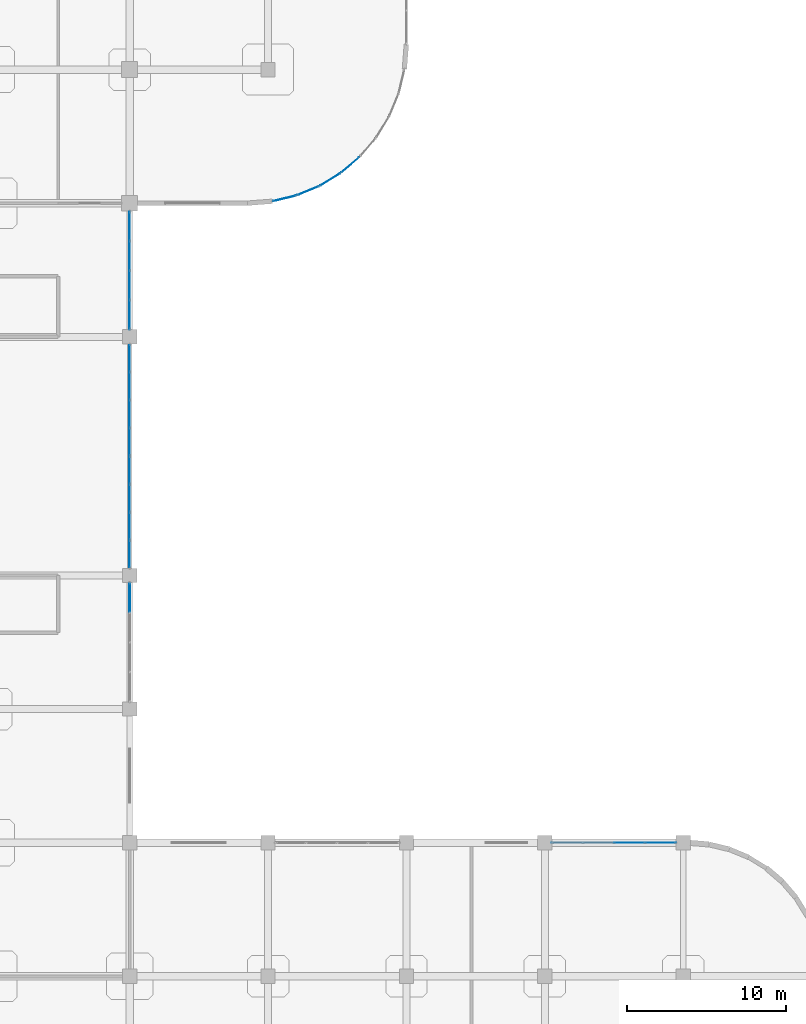
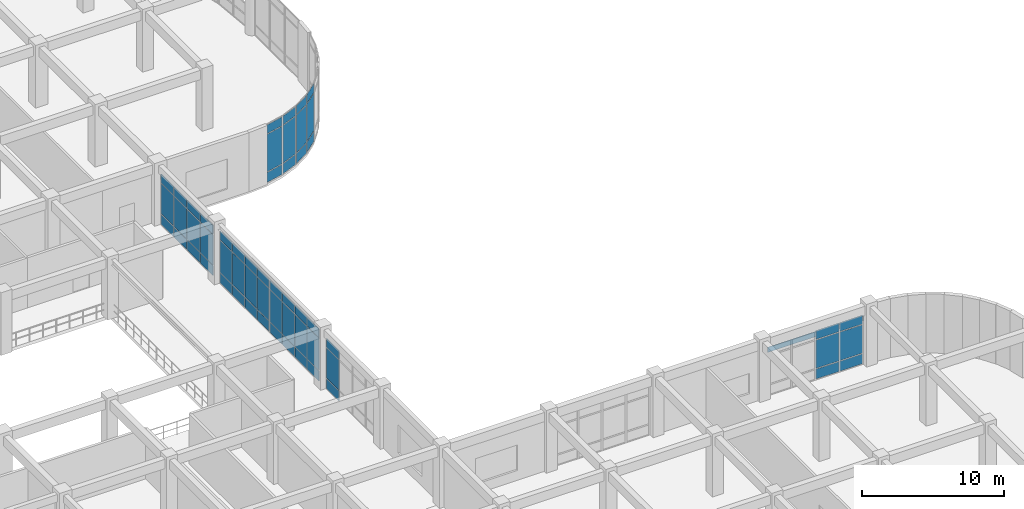
# One storey, part 89 of 114: 59 plates, 9 elements without a shape of their own.
"""IFC4 building model written with IfcOpenShell, lengths in metres."""

from ifc_helpers import new_model, si_unit, derived_unit, direction, frame, origin, origin_2d, place, context, subcontext, project, spatial, rectangle, extrude, material, layer, layer_set, type_object, element, aggregate, save


model = new_model("IFC4")

# Units and contexts
model_context = context("Model", 3, precision=1e-05, world=origin(), true_north=direction((0.0, 1.0)))
body_context = subcontext(model_context, "Body", "Model", "MODEL_VIEW")
ifc_project = project(units=[si_unit("LENGTHUNIT", "METRE"), si_unit("AREAUNIT", "SQUARE_METRE"), si_unit("VOLUMEUNIT", "CUBIC_METRE"), si_unit("PLANEANGLEUNIT", "RADIAN"), si_unit("MASSUNIT", "GRAM", prefix="KILO"), derived_unit("THERMALTRANSMITTANCEUNIT", [(si_unit("MASSUNIT", "GRAM", prefix="KILO"), 1), (si_unit("TIMEUNIT", "SECOND"), -3), (si_unit("THERMODYNAMICTEMPERATUREUNIT", "KELVIN"), -1)])], contexts=[model_context])

# Site, building, storey
site_placement = place(None, origin())
site = spatial("IfcSite", under=ifc_project, at=site_placement, CompositionType="ELEMENT")
building_placement = place(site_placement, origin())
building = spatial("IfcBuilding", under=site, at=building_placement, Name="Qinzheling Arcade Emporium", CompositionType="ELEMENT")
storey_placement = place(building_placement, frame((0.0, 0.0, 6.0)))
storey = spatial("IfcBuildingStorey", under=building, at=storey_placement, Name="L02", CompositionType="ELEMENT", Elevation=6.0)

# Curtain wall, plates
ifc_material_1 = material(Name="Anodised aluminium and solar-control double glazing", Category="aluminium")
ifc_layer_1 = layer(ifc_material_1, 0.159912109375, Name="Anodised aluminium and solar-control double glazing", Category="aluminium")
ifc_layer_set_1 = layer_set([ifc_layer_1], Name="Anodised aluminium and solar-control double glazing")
curtain_wall_type_1 = type_object("IfcCurtainWallType", Name="Food Hall Loggia Curtain Wall", PredefinedType="NOTDEFINED", material=ifc_layer_set_1)
curtain_wall_1_placement = place(storey_placement, origin())
curtain_wall_1 = element("IfcCurtainWall", 1, at=curtain_wall_1_placement, inside=storey, type_object=curtain_wall_type_1, Name="Curtain Wall CW-L02-127", PredefinedType="NOTDEFINED")
ifc_material_2 = material(Name="Laminated solar-control double glazing", Category="glass")
ifc_layer_2 = layer(ifc_material_2, 0.02099609375, Name="Laminated solar-control double glazing", Category="glass")
ifc_layer_set_2 = layer_set([ifc_layer_2], Name="Laminated solar-control double glazing")
plate_type_1 = type_object("IfcPlateType", Name="Low-E Double Glazed Curtain Panel 21mm", PredefinedType="CURTAIN_PANEL", material=ifc_layer_set_2)
plate_1_placement = place(storey_placement, frame((161.924560546875, 33.60009765625, 0.06005859375), z_axis=(0.0, 0.0, 1.0), x_axis=(1.0, 0.0, 0.0)))
plate_1 = element("IfcPlate", 2, at=plate_1_placement, type_object=plate_type_1, Name="CW04 panel 3.1", PredefinedType="CURTAIN_PANEL", context=body_context, shape_type="SweptSolid", body=[
    extrude(rectangle(XDim=1.888916015625, YDim=0.02099609375, at=origin_2d()), origin(), (0.0, 0.0, 1.0), 0.860107421875),
])
plate_2_placement = place(storey_placement, frame((161.924560546875, 33.60009765625, 0.97998046875), z_axis=(0.0, 0.0, 1.0), x_axis=(1.0, 0.0, 0.0)))
plate_2 = element("IfcPlate", 3, at=plate_2_placement, type_object=plate_type_1, Name="CW04 panel 3.2", PredefinedType="CURTAIN_PANEL", context=body_context, shape_type="SweptSolid", body=[
    extrude(rectangle(XDim=1.888916015625, YDim=0.02099609375, at=origin_2d()), origin(), (0.0, 0.0, 1.0), 2.445068359375),
])
plate_3_placement = place(storey_placement, frame((161.924560546875, 33.60009765625, 3.48486328125), z_axis=(0.0, 0.0, 1.0), x_axis=(1.0, 0.0, 0.0)))
plate_3 = element("IfcPlate", 4, at=plate_3_placement, type_object=plate_type_1, Name="CW04 panel 3.3", PredefinedType="CURTAIN_PANEL", context=body_context, shape_type="SweptSolid", body=[
    extrude(rectangle(XDim=1.888916015625, YDim=0.02099609375, at=origin_2d()), origin(), (0.0, 0.0, 1.0), 0.760009765625),
])
plate_4_placement = place(storey_placement, frame((163.8583984375, 33.60009765625, 0.06005859375), z_axis=(0.0, 0.0, 1.0), x_axis=(1.0, 0.0, 0.0)))
plate_4 = element("IfcPlate", 5, at=plate_4_placement, type_object=plate_type_1, Name="CW04 panel 4.1", PredefinedType="CURTAIN_PANEL", context=body_context, shape_type="SweptSolid", body=[
    extrude(rectangle(XDim=1.85888671875, YDim=0.02099609375, at=origin_2d()), origin(), (0.0, 0.0, 1.0), 0.860107421875),
])
plate_5_placement = place(storey_placement, frame((163.8583984375, 33.60009765625, 0.97998046875), z_axis=(0.0, 0.0, 1.0), x_axis=(1.0, 0.0, 0.0)))
plate_5 = element("IfcPlate", 6, at=plate_5_placement, type_object=plate_type_1, Name="CW04 panel 4.2", PredefinedType="CURTAIN_PANEL", context=body_context, shape_type="SweptSolid", body=[
    extrude(rectangle(XDim=1.85888671875, YDim=0.02099609375, at=origin_2d()), origin(), (0.0, 0.0, 1.0), 2.445068359375),
])
plate_6_placement = place(storey_placement, frame((163.8583984375, 33.60009765625, 3.48486328125), z_axis=(0.0, 0.0, 1.0), x_axis=(1.0, 0.0, 0.0)))
plate_6 = element("IfcPlate", 7, at=plate_6_placement, type_object=plate_type_1, Name="CW04 panel 4.3", PredefinedType="CURTAIN_PANEL", context=body_context, shape_type="SweptSolid", body=[
    extrude(rectangle(XDim=1.85888671875, YDim=0.02099609375, at=origin_2d()), origin(), (0.0, 0.0, 1.0), 0.760009765625),
])
aggregate(curtain_wall_1, [plate_1, plate_2, plate_3, plate_4, plate_5, plate_6])

ifc_layer_3 = layer(ifc_material_1, 0.159912109375, Name="Anodised aluminium and solar-control double glazing", Category="aluminium")
ifc_layer_set_3 = layer_set([ifc_layer_3], Name="Anodised aluminium and solar-control double glazing")
curtain_wall_type_2 = type_object("IfcCurtainWallType", Name="Curved Ribbon Sales Curtain Wall", PredefinedType="NOTDEFINED", material=ifc_layer_set_3)
curtain_wall_2_placement = place(storey_placement, origin())
curtain_wall_2 = element("IfcCurtainWall", 8, at=curtain_wall_2_placement, inside=storey, type_object=curtain_wall_type_2, Name="Curtain Wall CW-L02-118", PredefinedType="NOTDEFINED")
ifc_layer_4 = layer(ifc_material_2, 0.029052734375, Name="Laminated solar-control double glazing", Category="glass")
ifc_layer_set_4 = layer_set([ifc_layer_4], Name="Laminated solar-control double glazing")
plate_type_2 = type_object("IfcPlateType", Name="Low-E Double Glazed Curtain Panel 29mm", PredefinedType="CURTAIN_PANEL", material=ifc_layer_set_4)
plate_7_placement = place(storey_placement, frame((144.37451171875, 76.219482421875, 0.06005859375), z_axis=(0.0, 0.0, 1.0), x_axis=(-0.760380235773, -0.649478172878, 0.0)))
plate_7 = element("IfcPlate", 9, at=plate_7_placement, type_object=plate_type_2, Name="CW02 panel 1.1", PredefinedType="CURTAIN_PANEL", context=body_context, shape_type="SweptSolid", body=[
    extrude(rectangle(XDim=1.448974609375, YDim=0.029052734375, at=origin_2d()), origin(), (0.0, 0.0, 1.0), 0.860107421875),
])
plate_8_placement = place(storey_placement, frame((144.37451171875, 76.219482421875, 0.97998046875), z_axis=(0.0, 0.0, 1.0), x_axis=(-0.760380235773, -0.649478172878, 0.0)))
plate_8 = element("IfcPlate", 10, at=plate_8_placement, type_object=plate_type_2, Name="CW02 panel 1.2", PredefinedType="CURTAIN_PANEL", context=body_context, shape_type="SweptSolid", body=[
    extrude(rectangle(XDim=1.448974609375, YDim=0.029052734375, at=origin_2d()), origin(), (0.0, 0.0, 1.0), 3.22998046875),
])
plate_9_placement = place(storey_placement, frame((144.37451171875, 76.219482421875, 4.27001953125), z_axis=(0.0, 0.0, 1.0), x_axis=(-0.760380235773, -0.649478172878, 0.0)))
plate_9 = element("IfcPlate", 11, at=plate_9_placement, type_object=plate_type_2, Name="CW02 panel 1.3", PredefinedType="CURTAIN_PANEL", context=body_context, shape_type="SweptSolid", body=[
    extrude(rectangle(XDim=1.448974609375, YDim=0.029052734375, at=origin_2d()), origin(), (0.0, 0.0, 1.0), 0.760009765625),
])
aggregate(curtain_wall_2, [plate_7, plate_8, plate_9])

curtain_wall_3_placement = place(storey_placement, origin())
curtain_wall_3 = element("IfcCurtainWall", 12, at=curtain_wall_3_placement, inside=storey, type_object=curtain_wall_type_2, Name="Curtain Wall CW-L02-119", PredefinedType="NOTDEFINED")
ifc_layer_5 = layer(ifc_material_2, 0.030029296875, Name="Laminated solar-control double glazing", Category="glass")
ifc_layer_set_5 = layer_set([ifc_layer_5], Name="Laminated solar-control double glazing")
plate_type_3 = type_object("IfcPlateType", Name="Low-E Double Glazed Curtain Panel 30mm", PredefinedType="CURTAIN_PANEL", material=ifc_layer_set_5)
plate_10_placement = place(storey_placement, frame((143.10888671875, 75.300048828125, 0.06005859375), z_axis=(0.0, 0.0, 1.0), x_axis=(-0.852619568756, -0.522532172191, 0.0)))
plate_10 = element("IfcPlate", 13, at=plate_10_placement, type_object=plate_type_3, Name="CW02 panel 1.1", PredefinedType="CURTAIN_PANEL", context=body_context, shape_type="SweptSolid", body=[
    extrude(rectangle(XDim=1.44921875, YDim=0.030029296875, at=origin_2d()), origin(), (0.0, 0.0, 1.0), 0.860107421875),
])
plate_11_placement = place(storey_placement, frame((143.10888671875, 75.300048828125, 0.97998046875), z_axis=(0.0, 0.0, 1.0), x_axis=(-0.852619568756, -0.522532172191, 0.0)))
plate_11 = element("IfcPlate", 14, at=plate_11_placement, type_object=plate_type_3, Name="CW02 panel 1.2", PredefinedType="CURTAIN_PANEL", context=body_context, shape_type="SweptSolid", body=[
    extrude(rectangle(XDim=1.44921875, YDim=0.030029296875, at=origin_2d()), origin(), (0.0, 0.0, 1.0), 3.22998046875),
])
plate_12_placement = place(storey_placement, frame((143.10888671875, 75.300048828125, 4.27001953125), z_axis=(0.0, 0.0, 1.0), x_axis=(-0.852619568756, -0.522532172191, 0.0)))
plate_12 = element("IfcPlate", 15, at=plate_12_placement, type_object=plate_type_3, Name="CW02 panel 1.3", PredefinedType="CURTAIN_PANEL", context=body_context, shape_type="SweptSolid", body=[
    extrude(rectangle(XDim=1.44921875, YDim=0.030029296875, at=origin_2d()), origin(), (0.0, 0.0, 1.0), 0.760009765625),
])
aggregate(curtain_wall_3, [plate_10, plate_11, plate_12])

curtain_wall_4_placement = place(storey_placement, origin())
curtain_wall_4 = element("IfcCurtainWall", 16, at=curtain_wall_4_placement, inside=storey, type_object=curtain_wall_type_2, Name="Curtain Wall CW-L02-120", PredefinedType="NOTDEFINED")
ifc_layer_6 = layer(ifc_material_2, 0.031005859375, Name="Laminated solar-control double glazing", Category="glass")
ifc_layer_set_6 = layer_set([ifc_layer_6], Name="Laminated solar-control double glazing")
plate_type_4 = type_object("IfcPlateType", Name="Low-E Double Glazed Curtain Panel 31mm", PredefinedType="CURTAIN_PANEL", material=ifc_layer_set_6)
plate_13_placement = place(storey_placement, frame((141.715087890625, 74.589599609375, 0.06005859375), z_axis=(0.0, 0.0, 1.0), x_axis=(-0.923791586038, -0.382895684967, 0.0)))
plate_13 = element("IfcPlate", 17, at=plate_13_placement, type_object=plate_type_4, Name="CW02 panel 1.1", PredefinedType="CURTAIN_PANEL", context=body_context, shape_type="SweptSolid", body=[
    extrude(rectangle(XDim=1.44970703125, YDim=0.031005859375, at=origin_2d()), origin(), (0.0, 0.0, 1.0), 0.860107421875),
])
plate_14_placement = place(storey_placement, frame((141.715087890625, 74.589599609375, 0.97998046875), z_axis=(0.0, 0.0, 1.0), x_axis=(-0.923791586038, -0.382895684967, 0.0)))
plate_14 = element("IfcPlate", 18, at=plate_14_placement, type_object=plate_type_4, Name="CW02 panel 1.2", PredefinedType="CURTAIN_PANEL", context=body_context, shape_type="SweptSolid", body=[
    extrude(rectangle(XDim=1.44970703125, YDim=0.031005859375, at=origin_2d()), origin(), (0.0, 0.0, 1.0), 3.22998046875),
])
plate_15_placement = place(storey_placement, frame((141.715087890625, 74.589599609375, 4.27001953125), z_axis=(0.0, 0.0, 1.0), x_axis=(-0.923791586038, -0.382895684967, 0.0)))
plate_15 = element("IfcPlate", 19, at=plate_15_placement, type_object=plate_type_4, Name="CW02 panel 1.3", PredefinedType="CURTAIN_PANEL", context=body_context, shape_type="SweptSolid", body=[
    extrude(rectangle(XDim=1.44970703125, YDim=0.031005859375, at=origin_2d()), origin(), (0.0, 0.0, 1.0), 0.760009765625),
])
aggregate(curtain_wall_4, [plate_13, plate_14, plate_15])

curtain_wall_5_placement = place(storey_placement, origin())
curtain_wall_5 = element("IfcCurtainWall", 20, at=curtain_wall_5_placement, inside=storey, type_object=curtain_wall_type_2, Name="Curtain Wall CW-L02-121", PredefinedType="NOTDEFINED")
ifc_layer_7 = layer(ifc_material_2, 0.031982421875, Name="Laminated solar-control double glazing", Category="glass")
ifc_layer_set_7 = layer_set([ifc_layer_7], Name="Laminated solar-control double glazing")
plate_type_5 = type_object("IfcPlateType", Name="Low-E Double Glazed Curtain Panel 32mm", PredefinedType="CURTAIN_PANEL", material=ifc_layer_set_7)
plate_16_placement = place(storey_placement, frame((140.22705078125, 74.10595703125, 0.06005859375), z_axis=(0.0, 0.0, 1.0), x_axis=(-0.972421996964, -0.233228342659, 0.0)))
plate_16 = element("IfcPlate", 21, at=plate_16_placement, type_object=plate_type_5, Name="CW02 panel 1.1", PredefinedType="CURTAIN_PANEL", context=body_context, shape_type="SweptSolid", body=[
    extrude(rectangle(XDim=1.44921875, YDim=0.031982421875, at=origin_2d()), origin(), (0.0, 0.0, 1.0), 0.860107421875),
])
plate_17_placement = place(storey_placement, frame((140.22705078125, 74.10595703125, 0.97998046875), z_axis=(0.0, 0.0, 1.0), x_axis=(-0.972421996964, -0.233228342659, 0.0)))
plate_17 = element("IfcPlate", 22, at=plate_17_placement, type_object=plate_type_5, Name="CW02 panel 1.2", PredefinedType="CURTAIN_PANEL", context=body_context, shape_type="SweptSolid", body=[
    extrude(rectangle(XDim=1.44921875, YDim=0.031982421875, at=origin_2d()), origin(), (0.0, 0.0, 1.0), 3.22998046875),
])
plate_18_placement = place(storey_placement, frame((140.22705078125, 74.10595703125, 4.27001953125), z_axis=(0.0, 0.0, 1.0), x_axis=(-0.972421996964, -0.233228342659, 0.0)))
plate_18 = element("IfcPlate", 23, at=plate_18_placement, type_object=plate_type_5, Name="CW02 panel 1.3", PredefinedType="CURTAIN_PANEL", context=body_context, shape_type="SweptSolid", body=[
    extrude(rectangle(XDim=1.44921875, YDim=0.031982421875, at=origin_2d()), origin(), (0.0, 0.0, 1.0), 0.760009765625),
])
aggregate(curtain_wall_5, [plate_16, plate_17, plate_18])

ifc_layer_8 = layer(ifc_material_1, 0.159912109375, Name="Anodised aluminium and solar-control double glazing", Category="aluminium")
ifc_layer_set_8 = layer_set([ifc_layer_8], Name="Anodised aluminium and solar-control double glazing")
curtain_wall_type_3 = type_object("IfcCurtainWallType", Name="Arcade Portal Glazed Curtain Wall", PredefinedType="NOTDEFINED", material=ifc_layer_set_8)
curtain_wall_6_placement = place(storey_placement, origin())
curtain_wall_6 = element("IfcCurtainWall", 24, at=curtain_wall_6_placement, inside=storey, type_object=curtain_wall_type_3, Name="Curtain Wall CW-L02-122", PredefinedType="NOTDEFINED")
ifc_layer_9 = layer(ifc_material_2, 0.033935546875, Name="Laminated solar-control double glazing", Category="glass")
ifc_layer_set_9 = layer_set([ifc_layer_9], Name="Laminated solar-control double glazing")
plate_type_6 = type_object("IfcPlateType", Name="Low-E Double Glazed Curtain Panel 34mm", PredefinedType="CURTAIN_PANEL", material=ifc_layer_set_9)
plate_19_placement = place(storey_placement, frame((130.5, 72.352294921875, 0.06005859375), z_axis=(0.0, 0.0, 1.0), x_axis=(0.0, -1.0, 0.0)))
plate_19 = element("IfcPlate", 25, at=plate_19_placement, type_object=plate_type_6, Name="CW05 panel 1.1", PredefinedType="CURTAIN_PANEL", context=body_context, shape_type="SweptSolid", body=[
    extrude(rectangle(XDim=1.771484375, YDim=0.033935546875, at=origin_2d()), origin(), (0.0, 0.0, 1.0), 0.860107421875),
])
plate_20_placement = place(storey_placement, frame((130.5, 72.352294921875, 0.97998046875), z_axis=(0.0, 0.0, 1.0), x_axis=(0.0, -1.0, 0.0)))
plate_20 = element("IfcPlate", 26, at=plate_20_placement, type_object=plate_type_6, Name="CW05 panel 1.2", PredefinedType="CURTAIN_PANEL", context=body_context, shape_type="SweptSolid", body=[
    extrude(rectangle(XDim=1.771484375, YDim=0.033935546875, at=origin_2d()), origin(), (0.0, 0.0, 1.0), 2.594970703125),
])
plate_21_placement = place(storey_placement, frame((130.5, 72.352294921875, 3.634765625), z_axis=(0.0, 0.0, 1.0), x_axis=(0.0, -1.0, 0.0)))
plate_21 = element("IfcPlate", 27, at=plate_21_placement, type_object=plate_type_6, Name="CW05 panel 1.3", PredefinedType="CURTAIN_PANEL", context=body_context, shape_type="SweptSolid", body=[
    extrude(rectangle(XDim=1.771484375, YDim=0.033935546875, at=origin_2d()), origin(), (0.0, 0.0, 1.0), 0.760009765625),
])
plate_22_placement = place(storey_placement, frame((130.5, 70.505859375, 0.06005859375), z_axis=(0.0, 0.0, 1.0), x_axis=(0.0, -1.0, 0.0)))
plate_22 = element("IfcPlate", 28, at=plate_22_placement, type_object=plate_type_6, Name="CW05 panel 2.1", PredefinedType="CURTAIN_PANEL", context=body_context, shape_type="SweptSolid", body=[
    extrude(rectangle(XDim=1.801513671875, YDim=0.033935546875, at=origin_2d()), origin(), (0.0, 0.0, 1.0), 0.860107421875),
])
plate_23_placement = place(storey_placement, frame((130.5, 70.505859375, 0.97998046875), z_axis=(0.0, 0.0, 1.0), x_axis=(0.0, -1.0, 0.0)))
plate_23 = element("IfcPlate", 29, at=plate_23_placement, type_object=plate_type_6, Name="CW05 panel 2.2", PredefinedType="CURTAIN_PANEL", context=body_context, shape_type="SweptSolid", body=[
    extrude(rectangle(XDim=1.801513671875, YDim=0.033935546875, at=origin_2d()), origin(), (0.0, 0.0, 1.0), 2.594970703125),
])
plate_24_placement = place(storey_placement, frame((130.5, 70.505859375, 3.634765625), z_axis=(0.0, 0.0, 1.0), x_axis=(0.0, -1.0, 0.0)))
plate_24 = element("IfcPlate", 30, at=plate_24_placement, type_object=plate_type_6, Name="CW05 panel 2.3", PredefinedType="CURTAIN_PANEL", context=body_context, shape_type="SweptSolid", body=[
    extrude(rectangle(XDim=1.801513671875, YDim=0.033935546875, at=origin_2d()), origin(), (0.0, 0.0, 1.0), 0.760009765625),
])
plate_25_placement = place(storey_placement, frame((130.5, 68.644287109375, 0.06005859375), z_axis=(0.0, 0.0, 1.0), x_axis=(0.0, -1.0, 0.0)))
plate_25 = element("IfcPlate", 31, at=plate_25_placement, type_object=plate_type_6, Name="CW05 panel 3.1", PredefinedType="CURTAIN_PANEL", context=body_context, shape_type="SweptSolid", body=[
    extrude(rectangle(XDim=1.801513671875, YDim=0.033935546875, at=origin_2d()), origin(), (0.0, 0.0, 1.0), 0.860107421875),
])
plate_26_placement = place(storey_placement, frame((130.5, 68.644287109375, 0.97998046875), z_axis=(0.0, 0.0, 1.0), x_axis=(0.0, -1.0, 0.0)))
plate_26 = element("IfcPlate", 32, at=plate_26_placement, type_object=plate_type_6, Name="CW05 panel 3.2", PredefinedType="CURTAIN_PANEL", context=body_context, shape_type="SweptSolid", body=[
    extrude(rectangle(XDim=1.801513671875, YDim=0.033935546875, at=origin_2d()), origin(), (0.0, 0.0, 1.0), 2.594970703125),
])
plate_27_placement = place(storey_placement, frame((130.5, 68.644287109375, 3.634765625), z_axis=(0.0, 0.0, 1.0), x_axis=(0.0, -1.0, 0.0)))
plate_27 = element("IfcPlate", 33, at=plate_27_placement, type_object=plate_type_6, Name="CW05 panel 3.3", PredefinedType="CURTAIN_PANEL", context=body_context, shape_type="SweptSolid", body=[
    extrude(rectangle(XDim=1.801513671875, YDim=0.033935546875, at=origin_2d()), origin(), (0.0, 0.0, 1.0), 0.760009765625),
])
plate_28_placement = place(storey_placement, frame((130.5, 66.7978515625, 0.06005859375), z_axis=(0.0, 0.0, 1.0), x_axis=(0.0, -1.0, 0.0)))
plate_28 = element("IfcPlate", 34, at=plate_28_placement, type_object=plate_type_6, Name="CW05 panel 4.1", PredefinedType="CURTAIN_PANEL", context=body_context, shape_type="SweptSolid", body=[
    extrude(rectangle(XDim=1.771484375, YDim=0.033935546875, at=origin_2d()), origin(), (0.0, 0.0, 1.0), 0.860107421875),
])
plate_29_placement = place(storey_placement, frame((130.5, 66.7978515625, 0.97998046875), z_axis=(0.0, 0.0, 1.0), x_axis=(0.0, -1.0, 0.0)))
plate_29 = element("IfcPlate", 35, at=plate_29_placement, type_object=plate_type_6, Name="CW05 panel 4.2", PredefinedType="CURTAIN_PANEL", context=body_context, shape_type="SweptSolid", body=[
    extrude(rectangle(XDim=1.771484375, YDim=0.033935546875, at=origin_2d()), origin(), (0.0, 0.0, 1.0), 2.594970703125),
])
plate_30_placement = place(storey_placement, frame((130.5, 66.7978515625, 3.634765625), z_axis=(0.0, 0.0, 1.0), x_axis=(0.0, -1.0, 0.0)))
plate_30 = element("IfcPlate", 36, at=plate_30_placement, type_object=plate_type_6, Name="CW05 panel 4.3", PredefinedType="CURTAIN_PANEL", context=body_context, shape_type="SweptSolid", body=[
    extrude(rectangle(XDim=1.771484375, YDim=0.033935546875, at=origin_2d()), origin(), (0.0, 0.0, 1.0), 0.760009765625),
])
aggregate(curtain_wall_6, [plate_19, plate_20, plate_21, plate_22, plate_23, plate_24, plate_25, plate_26, plate_27, plate_28, plate_29, plate_30])

curtain_wall_7_placement = place(storey_placement, origin())
curtain_wall_7 = element("IfcCurtainWall", 37, at=curtain_wall_7_placement, inside=storey, type_object=curtain_wall_type_3, Name="Curtain Wall CW-L02-123", PredefinedType="NOTDEFINED")
ifc_layer_10 = layer(ifc_material_2, 0.035888671875, Name="Laminated solar-control double glazing", Category="glass")
ifc_layer_set_10 = layer_set([ifc_layer_10], Name="Laminated solar-control double glazing")
plate_type_7 = type_object("IfcPlateType", Name="Low-E Double Glazed Curtain Panel 36mm", PredefinedType="CURTAIN_PANEL", material=ifc_layer_set_10)
plate_31_placement = place(storey_placement, frame((130.5, 64.05224609375, 0.06005859375), z_axis=(0.0, 0.0, 1.0), x_axis=(0.0, -1.0, 0.0)))
plate_31 = element("IfcPlate", 38, at=plate_31_placement, type_object=plate_type_7, Name="CW05 panel 1.1", PredefinedType="CURTAIN_PANEL", context=body_context, shape_type="SweptSolid", body=[
    extrude(rectangle(XDim=1.67138671875, YDim=0.035888671875, at=origin_2d()), origin(), (0.0, 0.0, 1.0), 0.860107421875),
])
plate_32_placement = place(storey_placement, frame((130.5, 64.05224609375, 0.97998046875), z_axis=(0.0, 0.0, 1.0), x_axis=(0.0, -1.0, 0.0)))
plate_32 = element("IfcPlate", 39, at=plate_32_placement, type_object=plate_type_7, Name="CW05 panel 1.2", PredefinedType="CURTAIN_PANEL", context=body_context, shape_type="SweptSolid", body=[
    extrude(rectangle(XDim=1.67138671875, YDim=0.035888671875, at=origin_2d()), origin(), (0.0, 0.0, 1.0), 2.757080078125),
])
plate_33_placement = place(storey_placement, frame((130.5, 64.05224609375, 3.796875), z_axis=(0.0, 0.0, 1.0), x_axis=(0.0, -1.0, 0.0)))
plate_33 = element("IfcPlate", 40, at=plate_33_placement, type_object=plate_type_7, Name="CW05 panel 1.3", PredefinedType="CURTAIN_PANEL", context=body_context, shape_type="SweptSolid", body=[
    extrude(rectangle(XDim=1.67138671875, YDim=0.035888671875, at=origin_2d()), origin(), (0.0, 0.0, 1.0), 0.760009765625),
])
plate_34_placement = place(storey_placement, frame((130.5, 62.3056640625, 0.06005859375), z_axis=(0.0, 0.0, 1.0), x_axis=(0.0, -1.0, 0.0)))
plate_34 = element("IfcPlate", 41, at=plate_34_placement, type_object=plate_type_7, Name="CW05 panel 2.1", PredefinedType="CURTAIN_PANEL", context=body_context, shape_type="SweptSolid", body=[
    extrude(rectangle(XDim=1.701416015625, YDim=0.035888671875, at=origin_2d()), origin(), (0.0, 0.0, 1.0), 0.860107421875),
])
plate_35_placement = place(storey_placement, frame((130.5, 62.3056640625, 0.97998046875), z_axis=(0.0, 0.0, 1.0), x_axis=(0.0, -1.0, 0.0)))
plate_35 = element("IfcPlate", 42, at=plate_35_placement, type_object=plate_type_7, Name="CW05 panel 2.2", PredefinedType="CURTAIN_PANEL", context=body_context, shape_type="SweptSolid", body=[
    extrude(rectangle(XDim=1.701416015625, YDim=0.035888671875, at=origin_2d()), origin(), (0.0, 0.0, 1.0), 2.757080078125),
])
plate_36_placement = place(storey_placement, frame((130.5, 62.3056640625, 3.796875), z_axis=(0.0, 0.0, 1.0), x_axis=(0.0, -1.0, 0.0)))
plate_36 = element("IfcPlate", 43, at=plate_36_placement, type_object=plate_type_7, Name="CW05 panel 2.3", PredefinedType="CURTAIN_PANEL", context=body_context, shape_type="SweptSolid", body=[
    extrude(rectangle(XDim=1.701416015625, YDim=0.035888671875, at=origin_2d()), origin(), (0.0, 0.0, 1.0), 0.760009765625),
])
plate_37_placement = place(storey_placement, frame((130.5, 60.544189453125, 0.06005859375), z_axis=(0.0, 0.0, 1.0), x_axis=(0.0, -1.0, 0.0)))
plate_37 = element("IfcPlate", 44, at=plate_37_placement, type_object=plate_type_7, Name="CW05 panel 3.1", PredefinedType="CURTAIN_PANEL", context=body_context, shape_type="SweptSolid", body=[
    extrude(rectangle(XDim=1.701416015625, YDim=0.035888671875, at=origin_2d()), origin(), (0.0, 0.0, 1.0), 0.860107421875),
])
plate_38_placement = place(storey_placement, frame((130.5, 60.544189453125, 0.97998046875), z_axis=(0.0, 0.0, 1.0), x_axis=(0.0, -1.0, 0.0)))
plate_38 = element("IfcPlate", 45, at=plate_38_placement, type_object=plate_type_7, Name="CW05 panel 3.2", PredefinedType="CURTAIN_PANEL", context=body_context, shape_type="SweptSolid", body=[
    extrude(rectangle(XDim=1.701416015625, YDim=0.035888671875, at=origin_2d()), origin(), (0.0, 0.0, 1.0), 2.757080078125),
])
plate_39_placement = place(storey_placement, frame((130.5, 60.544189453125, 3.796875), z_axis=(0.0, 0.0, 1.0), x_axis=(0.0, -1.0, 0.0)))
plate_39 = element("IfcPlate", 46, at=plate_39_placement, type_object=plate_type_7, Name="CW05 panel 3.3", PredefinedType="CURTAIN_PANEL", context=body_context, shape_type="SweptSolid", body=[
    extrude(rectangle(XDim=1.701416015625, YDim=0.035888671875, at=origin_2d()), origin(), (0.0, 0.0, 1.0), 0.760009765625),
])
plate_40_placement = place(storey_placement, frame((130.5, 58.7978515625, 0.06005859375), z_axis=(0.0, 0.0, 1.0), x_axis=(0.0, -1.0, 0.0)))
plate_40 = element("IfcPlate", 47, at=plate_40_placement, type_object=plate_type_7, Name="CW05 panel 4.1", PredefinedType="CURTAIN_PANEL", context=body_context, shape_type="SweptSolid", body=[
    extrude(rectangle(XDim=1.67138671875, YDim=0.035888671875, at=origin_2d()), origin(), (0.0, 0.0, 1.0), 0.860107421875),
])
plate_41_placement = place(storey_placement, frame((130.5, 58.7978515625, 0.97998046875), z_axis=(0.0, 0.0, 1.0), x_axis=(0.0, -1.0, 0.0)))
plate_41 = element("IfcPlate", 48, at=plate_41_placement, type_object=plate_type_7, Name="CW05 panel 4.2", PredefinedType="CURTAIN_PANEL", context=body_context, shape_type="SweptSolid", body=[
    extrude(rectangle(XDim=1.67138671875, YDim=0.035888671875, at=origin_2d()), origin(), (0.0, 0.0, 1.0), 2.757080078125),
])
plate_42_placement = place(storey_placement, frame((130.5, 58.7978515625, 3.796875), z_axis=(0.0, 0.0, 1.0), x_axis=(0.0, -1.0, 0.0)))
plate_42 = element("IfcPlate", 49, at=plate_42_placement, type_object=plate_type_7, Name="CW05 panel 4.3", PredefinedType="CURTAIN_PANEL", context=body_context, shape_type="SweptSolid", body=[
    extrude(rectangle(XDim=1.67138671875, YDim=0.035888671875, at=origin_2d()), origin(), (0.0, 0.0, 1.0), 0.760009765625),
])
aggregate(curtain_wall_7, [plate_31, plate_32, plate_33, plate_34, plate_35, plate_36, plate_37, plate_38, plate_39, plate_40, plate_41, plate_42])

curtain_wall_8_placement = place(storey_placement, origin())
curtain_wall_8 = element("IfcCurtainWall", 50, at=curtain_wall_8_placement, inside=storey, type_object=curtain_wall_type_3, Name="Curtain Wall CW-L02-124", PredefinedType="NOTDEFINED")
ifc_layer_11 = layer(ifc_material_2, 0.0380859375, Name="Laminated solar-control double glazing", Category="glass")
ifc_layer_set_11 = layer_set([ifc_layer_11], Name="Laminated solar-control double glazing")
plate_type_8 = type_object("IfcPlateType", Name="Low-E Double Glazed Curtain Panel 38mm", PredefinedType="CURTAIN_PANEL", material=ifc_layer_set_11)
plate_43_placement = place(storey_placement, frame((130.5, 57.002197265625, 0.06005859375), z_axis=(0.0, 0.0, 1.0), x_axis=(0.0, -1.0, 0.0)))
plate_43 = element("IfcPlate", 51, at=plate_43_placement, type_object=plate_type_8, Name="CW05 panel 1.1", PredefinedType="CURTAIN_PANEL", context=body_context, shape_type="SweptSolid", body=[
    extrude(rectangle(XDim=1.67138671875, YDim=0.0380859375, at=origin_2d()), origin(), (0.0, 0.0, 1.0), 0.860107421875),
])
plate_44_placement = place(storey_placement, frame((130.5, 57.002197265625, 0.97998046875), z_axis=(0.0, 0.0, 1.0), x_axis=(0.0, -1.0, 0.0)))
plate_44 = element("IfcPlate", 52, at=plate_44_placement, type_object=plate_type_8, Name="CW05 panel 1.2", PredefinedType="CURTAIN_PANEL", context=body_context, shape_type="SweptSolid", body=[
    extrude(rectangle(XDim=1.67138671875, YDim=0.0380859375, at=origin_2d()), origin(), (0.0, 0.0, 1.0), 2.757080078125),
])
plate_45_placement = place(storey_placement, frame((130.5, 57.002197265625, 3.796875), z_axis=(0.0, 0.0, 1.0), x_axis=(0.0, -1.0, 0.0)))
plate_45 = element("IfcPlate", 53, at=plate_45_placement, type_object=plate_type_8, Name="CW05 panel 1.3", PredefinedType="CURTAIN_PANEL", context=body_context, shape_type="SweptSolid", body=[
    extrude(rectangle(XDim=1.67138671875, YDim=0.0380859375, at=origin_2d()), origin(), (0.0, 0.0, 1.0), 0.760009765625),
])
plate_46_placement = place(storey_placement, frame((130.5, 55.255859375, 0.06005859375), z_axis=(0.0, 0.0, 1.0), x_axis=(0.0, -1.0, 0.0)))
plate_46 = element("IfcPlate", 54, at=plate_46_placement, type_object=plate_type_8, Name="CW05 panel 2.1", PredefinedType="CURTAIN_PANEL", context=body_context, shape_type="SweptSolid", body=[
    extrude(rectangle(XDim=1.701416015625, YDim=0.0380859375, at=origin_2d()), origin(), (0.0, 0.0, 1.0), 0.860107421875),
])
plate_47_placement = place(storey_placement, frame((130.5, 55.255859375, 0.97998046875), z_axis=(0.0, 0.0, 1.0), x_axis=(0.0, -1.0, 0.0)))
plate_47 = element("IfcPlate", 55, at=plate_47_placement, type_object=plate_type_8, Name="CW05 panel 2.2", PredefinedType="CURTAIN_PANEL", context=body_context, shape_type="SweptSolid", body=[
    extrude(rectangle(XDim=1.701416015625, YDim=0.0380859375, at=origin_2d()), origin(), (0.0, 0.0, 1.0), 2.757080078125),
])
plate_48_placement = place(storey_placement, frame((130.5, 55.255859375, 3.796875), z_axis=(0.0, 0.0, 1.0), x_axis=(0.0, -1.0, 0.0)))
plate_48 = element("IfcPlate", 56, at=plate_48_placement, type_object=plate_type_8, Name="CW05 panel 2.3", PredefinedType="CURTAIN_PANEL", context=body_context, shape_type="SweptSolid", body=[
    extrude(rectangle(XDim=1.701416015625, YDim=0.0380859375, at=origin_2d()), origin(), (0.0, 0.0, 1.0), 0.760009765625),
])
plate_49_placement = place(storey_placement, frame((130.5, 53.494140625, 0.06005859375), z_axis=(0.0, 0.0, 1.0), x_axis=(0.0, -1.0, 0.0)))
plate_49 = element("IfcPlate", 57, at=plate_49_placement, type_object=plate_type_8, Name="CW05 panel 3.1", PredefinedType="CURTAIN_PANEL", context=body_context, shape_type="SweptSolid", body=[
    extrude(rectangle(XDim=1.701416015625, YDim=0.0380859375, at=origin_2d()), origin(), (0.0, 0.0, 1.0), 0.860107421875),
])
plate_50_placement = place(storey_placement, frame((130.5, 53.494140625, 0.97998046875), z_axis=(0.0, 0.0, 1.0), x_axis=(0.0, -1.0, 0.0)))
plate_50 = element("IfcPlate", 58, at=plate_50_placement, type_object=plate_type_8, Name="CW05 panel 3.2", PredefinedType="CURTAIN_PANEL", context=body_context, shape_type="SweptSolid", body=[
    extrude(rectangle(XDim=1.701416015625, YDim=0.0380859375, at=origin_2d()), origin(), (0.0, 0.0, 1.0), 2.757080078125),
])
plate_51_placement = place(storey_placement, frame((130.5, 53.494140625, 3.796875), z_axis=(0.0, 0.0, 1.0), x_axis=(0.0, -1.0, 0.0)))
plate_51 = element("IfcPlate", 59, at=plate_51_placement, type_object=plate_type_8, Name="CW05 panel 3.3", PredefinedType="CURTAIN_PANEL", context=body_context, shape_type="SweptSolid", body=[
    extrude(rectangle(XDim=1.701416015625, YDim=0.0380859375, at=origin_2d()), origin(), (0.0, 0.0, 1.0), 0.760009765625),
])
plate_52_placement = place(storey_placement, frame((130.5, 51.747802734375, 0.06005859375), z_axis=(0.0, 0.0, 1.0), x_axis=(0.0, -1.0, 0.0)))
plate_52 = element("IfcPlate", 60, at=plate_52_placement, type_object=plate_type_8, Name="CW05 panel 4.1", PredefinedType="CURTAIN_PANEL", context=body_context, shape_type="SweptSolid", body=[
    extrude(rectangle(XDim=1.67138671875, YDim=0.0380859375, at=origin_2d()), origin(), (0.0, 0.0, 1.0), 0.860107421875),
])
plate_53_placement = place(storey_placement, frame((130.5, 51.747802734375, 0.97998046875), z_axis=(0.0, 0.0, 1.0), x_axis=(0.0, -1.0, 0.0)))
plate_53 = element("IfcPlate", 61, at=plate_53_placement, type_object=plate_type_8, Name="CW05 panel 4.2", PredefinedType="CURTAIN_PANEL", context=body_context, shape_type="SweptSolid", body=[
    extrude(rectangle(XDim=1.67138671875, YDim=0.0380859375, at=origin_2d()), origin(), (0.0, 0.0, 1.0), 2.757080078125),
])
plate_54_placement = place(storey_placement, frame((130.5, 51.747802734375, 3.796875), z_axis=(0.0, 0.0, 1.0), x_axis=(0.0, -1.0, 0.0)))
plate_54 = element("IfcPlate", 62, at=plate_54_placement, type_object=plate_type_8, Name="CW05 panel 4.3", PredefinedType="CURTAIN_PANEL", context=body_context, shape_type="SweptSolid", body=[
    extrude(rectangle(XDim=1.67138671875, YDim=0.0380859375, at=origin_2d()), origin(), (0.0, 0.0, 1.0), 0.760009765625),
])
aggregate(curtain_wall_8, [plate_43, plate_44, plate_45, plate_46, plate_47, plate_48, plate_49, plate_50, plate_51, plate_52, plate_53, plate_54])

curtain_wall_9_placement = place(storey_placement, origin())
curtain_wall_9 = element("IfcCurtainWall", 63, at=curtain_wall_9_placement, inside=storey, type_object=curtain_wall_type_3, Name="Curtain Wall CW-L02-125", PredefinedType="NOTDEFINED")
ifc_layer_12 = layer(ifc_material_2, 0.0400390625, Name="Laminated solar-control double glazing", Category="glass")
ifc_layer_set_12 = layer_set([ifc_layer_12], Name="Laminated solar-control double glazing")
plate_type_9 = type_object("IfcPlateType", Name="Low-E Double Glazed Curtain Panel 40mm", PredefinedType="CURTAIN_PANEL", material=ifc_layer_set_12)
plate_55_placement = place(storey_placement, frame((130.5, 48.99609375, 0.06005859375), z_axis=(0.0, 0.0, 1.0), x_axis=(0.0, -1.0, 0.0)))
plate_55 = element("IfcPlate", 64, at=plate_55_placement, type_object=plate_type_9, Name="CW05 panel 1.1", PredefinedType="CURTAIN_PANEL", context=body_context, shape_type="SweptSolid", body=[
    extrude(rectangle(XDim=1.783935546875, YDim=0.0400390625, at=origin_2d()), origin(), (0.0, 0.0, 1.0), 0.860107421875),
])
plate_56_placement = place(storey_placement, frame((130.5, 48.99609375, 0.97998046875), z_axis=(0.0, 0.0, 1.0), x_axis=(0.0, -1.0, 0.0)))
plate_56 = element("IfcPlate", 65, at=plate_56_placement, type_object=plate_type_9, Name="CW05 panel 1.2", PredefinedType="CURTAIN_PANEL", context=body_context, shape_type="SweptSolid", body=[
    extrude(rectangle(XDim=1.783935546875, YDim=0.0400390625, at=origin_2d()), origin(), (0.0, 0.0, 1.0), 2.594970703125),
])
plate_57_placement = place(storey_placement, frame((130.5, 48.99609375, 3.634765625), z_axis=(0.0, 0.0, 1.0), x_axis=(0.0, -1.0, 0.0)))
plate_57 = element("IfcPlate", 66, at=plate_57_placement, type_object=plate_type_9, Name="CW05 panel 1.3", PredefinedType="CURTAIN_PANEL", context=body_context, shape_type="SweptSolid", body=[
    extrude(rectangle(XDim=1.783935546875, YDim=0.0400390625, at=origin_2d()), origin(), (0.0, 0.0, 1.0), 0.760009765625),
])
aggregate(curtain_wall_9, [plate_55, plate_56, plate_57])

# Plates
ifc_material_3 = material(Name="Perforated anodised aluminium sheet", Category="aluminium")
ifc_layer_13 = layer(ifc_material_3, 0.014892578125, Name="Perforated anodised aluminium sheet", Category="aluminium")
ifc_layer_set_13 = layer_set([ifc_layer_13], Name="Perforated anodised aluminium sheet")
plate_type_10 = type_object("IfcPlateType", Name="Typhoon Storm Louvre Blade 15mm", PredefinedType="SHEET", material=ifc_layer_set_13)
plate_58_placement = place(storey_placement, frame((160.949951171875, 33.60009765625, 3.72998046875), z_axis=(0.0, 0.0, 1.0), x_axis=(1.0, 0.0, 0.0)))
element("IfcPlate", 67, at=plate_58_placement, inside=storey, type_object=plate_type_10, Name="Storm Louvre PLT-SLV-L02-021", PredefinedType="SHEET", context=body_context, shape_type="SweptSolid", body=[
    extrude(rectangle(XDim=7.825927734375, YDim=0.014892578125, at=origin_2d()), origin(), (0.0, 0.0, 1.0), 0.449951171875),
])
ifc_layer_14 = layer(ifc_material_3, 0.01806640625, Name="Perforated anodised aluminium sheet", Category="aluminium")
ifc_layer_set_14 = layer_set([ifc_layer_14], Name="Perforated anodised aluminium sheet")
plate_type_11 = type_object("IfcPlateType", Name="Typhoon Storm Louvre Blade 18mm", PredefinedType="SHEET", material=ifc_layer_set_14)
plate_59_placement = place(storey_placement, frame((130.5, 69.574951171875, 3.8798828125), z_axis=(0.0, 0.0, 1.0), x_axis=(0.0, -1.0, 0.0)))
element("IfcPlate", 68, at=plate_59_placement, inside=storey, type_object=plate_type_11, Name="Storm Louvre PLT-SLV-L02-018", PredefinedType="SHEET", context=body_context, shape_type="SweptSolid", body=[
    extrude(rectangle(XDim=7.47607421875, YDim=0.01806640625, at=origin_2d()), origin(), (0.0, 0.0, 1.0), 0.449951171875),
])

save(model, "model.ifc")
